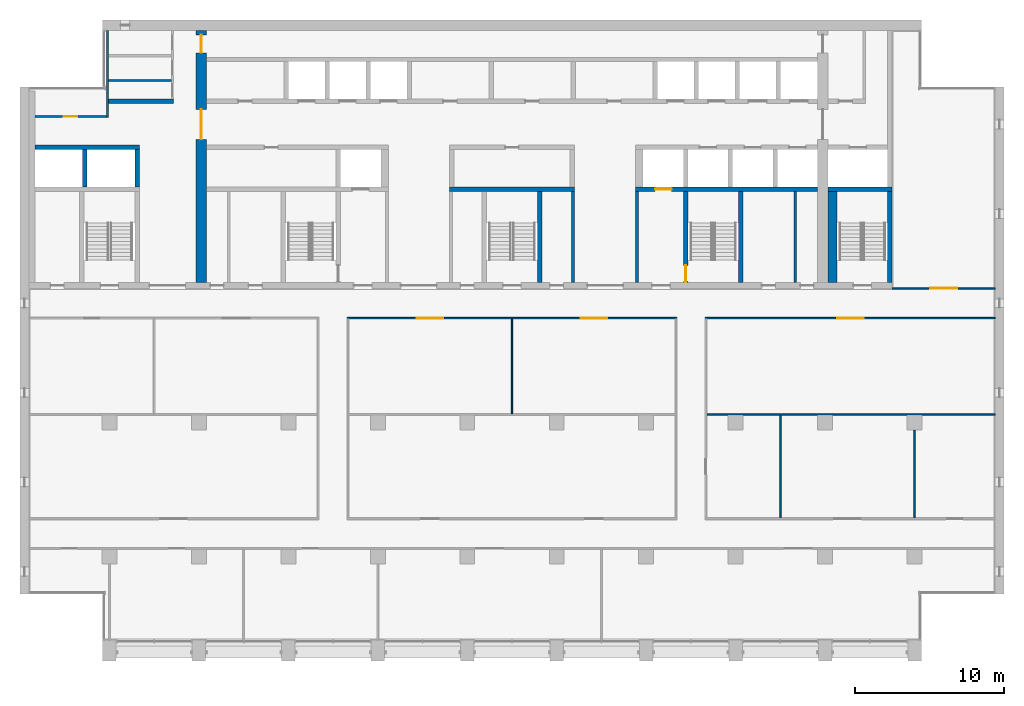
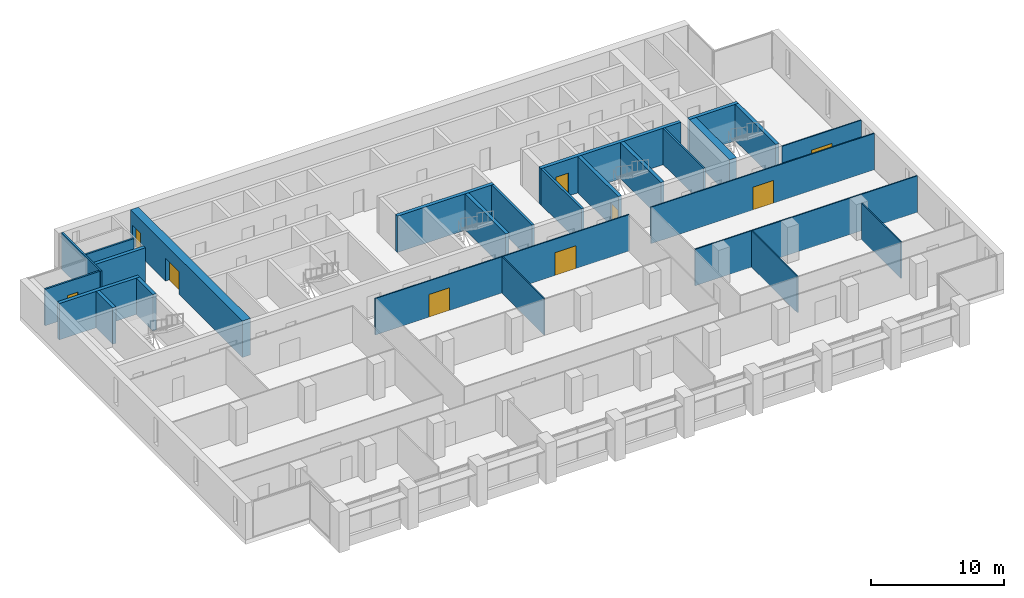
# One storey, part 10 of 17: 26 walls, 9 doors, 9 openings.
"""IFC4 building model written with IfcOpenShell, lengths in metres."""

from ifc_helpers import new_model, si_unit, direction, frame, frame_2d, origin, place, context, subcontext, project, spatial, rectangle, extrude, material, layer, layer_set, type_object, element, fill, save


model = new_model("IFC4")

# Units and contexts
model_context = context("Model", 3, precision=1e-05, world=origin(), true_north=direction((0.0, 1.0)))
body_context = subcontext(model_context, "Body", "Model", "MODEL_VIEW")
ifc_project = project(units=[si_unit("LENGTHUNIT", "METRE"), si_unit("AREAUNIT", "SQUARE_METRE"), si_unit("VOLUMEUNIT", "CUBIC_METRE"), si_unit("PLANEANGLEUNIT", "RADIAN"), si_unit("MASSUNIT", "GRAM", prefix="KILO")], contexts=[model_context])

# Site, building, storey
site_placement = place(None, origin())
site = spatial("IfcSite", under=ifc_project, at=site_placement, CompositionType="ELEMENT")
building_placement = place(site_placement, origin())
building = spatial("IfcBuilding", under=site, at=building_placement, Name="Calvaro Tower", CompositionType="ELEMENT")
storey_placement = place(building_placement, frame((0.0, 0.0, 215.5)))
storey = spatial("IfcBuildingStorey", under=building, at=storey_placement, Name="L54", CompositionType="ELEMENT", Elevation=215.5)

# Walls
ifc_material_1 = material(Name="Blockwork partition", Category="masonry")
ifc_layer_1 = layer(ifc_material_1, 0.14990234375)
ifc_layer_set_1 = layer_set([ifc_layer_1], Name="Blockwork partition")
wall_type_1 = type_object("IfcWallType", Name="Core partition 150 EI 60", PredefinedType="PARTITIONING", material=ifc_layer_set_1)
wall_1_placement = place(storey_placement, frame((58.0, 28.39990234375, 0.0), z_axis=(0.0, 0.0, 1.0), x_axis=(0.0, 1.0, 0.0)))
element("IfcWall", 1, at=wall_1_placement, inside=storey, type_object=wall_type_1, Name="Core partition", PredefinedType="PARTITIONING", context=body_context, shape_type="SweptSolid", body=[
    extrude(rectangle(XDim=6.10009765625, YDim=0.14990234375, at=frame_2d((3.050048828125, 0.0))), origin(), (0.0, 0.0, 1.0), 3.35009765625),
])
wall_2_placement = place(storey_placement, frame((11.949951171875, 41.949951171875, 0.0), z_axis=(0.0, 0.0, 1.0), x_axis=(1.0, 0.0, 0.0)))
element("IfcWall", 2, at=wall_2_placement, inside=storey, type_object=wall_type_1, Name="Core partition", PredefinedType="PARTITIONING", context=body_context, shape_type="SweptSolid", body=[
    extrude(rectangle(XDim=4.199951171875, YDim=0.14990234375, at=frame_2d((2.10009765625, 0.0))), origin(), (0.0, 0.0, 1.0), 3.35009765625),
])
ifc_material_2 = material(Name="Blockwork partition", Category="masonry")
ifc_layer_2 = layer(ifc_material_2, 0.14990234375)
ifc_layer_set_2 = layer_set([ifc_layer_2], Name="Blockwork partition")
wall_type_2 = type_object("IfcWallType", Name="Core partition 150 REI 120", PredefinedType="PARTITIONING", material=ifc_layer_set_2)
wall_3_placement = place(storey_placement, frame((11.875, 39.449951171875, 0.0), z_axis=(0.0, 0.0, 1.0), x_axis=(0.0, 1.0, 0.0)))
element("IfcWall", 3, at=wall_3_placement, inside=storey, type_object=wall_type_2, Name="Core partition", PredefinedType="PARTITIONING", context=body_context, shape_type="SweptSolid", body=[
    extrude(rectangle(XDim=5.85009765625, YDim=0.14990234375, at=frame_2d((2.925048828125, 0.0))), origin(), (0.0, 0.0, 1.0), 3.35009765625),
])

# Wall, opening, door
wall_4_placement = place(storey_placement, frame((7.0, 39.52490234375, 0.0), z_axis=(0.0, 0.0, 1.0), x_axis=(1.0, 0.0, 0.0)))
wall_4 = element("IfcWall", 4, at=wall_4_placement, inside=storey, type_object=wall_type_2, Name="Core partition", PredefinedType="PARTITIONING", context=body_context, shape_type="SweptSolid", body=[
    extrude(rectangle(XDim=4.800048828125, YDim=0.14990234375, at=frame_2d((2.39990234375, 0.0))), origin(), (0.0, 0.0, 1.0), 3.35009765625),
])
opening_1_placement = place(wall_4_placement, frame((1.949951171875, 0.0, 0.0)))
opening_1 = element("IfcOpeningElement", 5, at=opening_1_placement, cuts=wall_4, Name="Opening RD9", PredefinedType="OPENING", context=body_context, shape_type="SweptSolid", body=[
    extrude(rectangle(XDim=0.89990234375, YDim=2.10009765625, at=frame_2d((0.449951171875, 1.050048828125))), frame((0.0, 0.0849609375, 0.0), z_axis=(0.0, -1.0, 0.0), x_axis=(1.0, 0.0, 0.0)), (0.0, 0.0, 1.0), 0.169921875),
])
ifc_material_3 = material(Name="Steel door set", Category="steel")
door_type_1 = type_object("IfcDoorType", Name="Room door 900", OperationType="SINGLE_SWING_LEFT", PredefinedType="DOOR", material=ifc_material_3)
door_1_placement = place(opening_1_placement, origin())
door_1 = element("IfcDoor", 6, at=door_1_placement, inside=storey, type_object=door_type_1, Name="Room door", OperationType="SINGLE_SWING_LEFT", OverallHeight=2.10009765625, OverallWidth=0.89990234375, PredefinedType="DOOR", context=body_context, shape_type="SweptSolid", body=[
    extrude(rectangle(XDim=0.89990234375, YDim=2.10009765625, at=frame_2d((0.449951171875, 1.050048828125))), frame((0.0, 0.02490234375, 0.0), z_axis=(0.0, -1.0, 0.0), x_axis=(1.0, 0.0, 0.0)), (0.0, 0.0, 1.0), 0.050048828125),
])
fill(opening_1, door_1)

# Walls
ifc_material_4 = material(Name="Blockwork partition", Category="masonry")
ifc_layer_3 = layer(ifc_material_4, 0.199951171875)
ifc_layer_set_3 = layer_set([ifc_layer_3], Name="Blockwork partition")
wall_type_3 = type_object("IfcWallType", Name="Core partition 200 REI 120", PredefinedType="PARTITIONING", material=ifc_layer_set_3)
for number, where, z_axis, x_axis, name in (
    (7, (43.10009765625, 28.39990234375, 0.0), (0.0, 0.0, 1.0), (0.0, 1.0, 0.0), "Core partition"),
    (8, (47.39990234375, 28.39990234375, 0.0), (0.0, 0.0, 1.0), (0.0, 1.0, 0.0), "Core partition"),
):
    element("IfcWall", number, at=place(storey_placement, frame(where, z_axis=z_axis, x_axis=x_axis)), inside=storey, type_object=wall_type_3, Name=name, PredefinedType="PARTITIONING", context=body_context, shape_type="SweptSolid", body=[
        extrude(rectangle(XDim=6.10009765625, YDim=0.199951171875, at=frame_2d((3.050048828125, 0.0))), origin(), (0.0, 0.0, 1.0), 3.35009765625),
    ])
ifc_material_5 = material(Name="Blockwork partition", Category="masonry")
ifc_layer_4 = layer(ifc_material_5, 0.300048828125)
ifc_layer_set_4 = layer_set([ifc_layer_4], Name="Blockwork partition")
wall_type_4 = type_object("IfcWallType", Name="Core partition 300 REI 120", PredefinedType="PARTITIONING", material=ifc_layer_set_4)
wall_5_placement = place(storey_placement, frame((11.949951171875, 40.550048828125, 0.0), z_axis=(0.0, 0.0, 1.0), x_axis=(1.0, 0.0, 0.0)))
element("IfcWall", 9, at=wall_5_placement, inside=storey, type_object=wall_type_4, Name="Core partition", PredefinedType="PARTITIONING", context=body_context, shape_type="SweptSolid", body=[
    extrude(rectangle(XDim=4.35009765625, YDim=0.300048828125, at=frame_2d((2.175048828125, 0.0))), origin(), (0.0, 0.0, 1.0), 3.35009765625),
])
ifc_material_6 = material(Name="Concrete C50/60", Category="concrete")
ifc_layer_5 = layer(ifc_material_6, 0.300048828125)
ifc_layer_set_5 = layer_set([ifc_layer_5], Name="Concrete C50/60")
wall_type_5 = type_object("IfcWallType", Name="Core wall C50/60 300", PredefinedType="SHEAR", material=ifc_layer_set_5)
wall_6_placement = place(storey_placement, frame((40.85009765625, 28.39990234375, 0.0), z_axis=(0.0, 0.0, 1.0), x_axis=(0.0, 1.0, 0.0)))
element("IfcWall", 10, at=wall_6_placement, inside=storey, type_object=wall_type_5, Name="Core wall, stair enclosure", PredefinedType="SHEAR", context=body_context, shape_type="SweptSolid", body=[
    extrude(rectangle(XDim=6.10009765625, YDim=0.300048828125, at=frame_2d((3.050048828125, 0.0))), origin(), (0.0, 0.0, 1.0), 3.35009765625),
])

# Wall, opening, door
wall_7_placement = place(storey_placement, frame((50.64990234375, 34.5, 0.0), z_axis=(0.0, 0.0, 1.0), x_axis=(0.0, -1.0, 0.0)))
wall_7 = element("IfcWall", 11, at=wall_7_placement, inside=storey, type_object=wall_type_5, Name="Core wall, stair enclosure", PredefinedType="SHEAR", context=body_context, shape_type="SweptSolid", body=[
    extrude(rectangle(XDim=6.10009765625, YDim=0.300048828125, at=frame_2d((3.050048828125, 0.0))), origin(), (0.0, 0.0, 1.0), 3.35009765625),
])
opening_2_placement = place(wall_7_placement, frame((4.949951171875, 0.0, 0.0)))
opening_2 = element("IfcOpeningElement", 12, at=opening_2_placement, cuts=wall_7, Name="Opening FD11D", PredefinedType="OPENING", context=body_context, shape_type="SweptSolid", body=[
    extrude(rectangle(XDim=1.10009765625, YDim=2.10009765625, at=frame_2d((0.550048828125, 1.050048828125))), frame((0.0, 0.159912109375, 0.0), z_axis=(0.0, -1.0, 0.0), x_axis=(1.0, 0.0, 0.0)), (0.0, 0.0, 1.0), 0.320068359375),
])
ifc_material_7 = material(Name="Steel door set", Category="steel")
door_type_2 = type_object("IfcDoorType", Name="Fire door 1100 FD30S", OperationType="SINGLE_SWING_LEFT", PredefinedType="DOOR", material=ifc_material_7)
door_2_placement = place(opening_2_placement, origin())
door_2 = element("IfcDoor", 13, at=door_2_placement, inside=storey, type_object=door_type_2, Name="Fire door", OperationType="SINGLE_SWING_RIGHT", OverallHeight=2.10009765625, OverallWidth=1.10009765625, PredefinedType="DOOR", context=body_context, shape_type="SweptSolid", body=[
    extrude(rectangle(XDim=1.10009765625, YDim=2.10009765625, at=frame_2d((0.550048828125, 1.050048828125))), frame((0.0, 0.02490234375, 0.0), z_axis=(0.0, -1.0, 0.0), x_axis=(1.0, 0.0, 0.0)), (0.0, 0.0, 1.0), 0.050048828125),
])
fill(opening_2, door_2)

# Walls
for number, where, z_axis, x_axis, name in (
    (14, (54.35009765625, 28.39990234375, 0.0), (0.0, 0.0, 1.0), (0.0, 1.0, 0.0), "Core wall, stair enclosure"),
    (15, (64.35009765625, 28.39990234375, 0.0), (0.0, 0.0, 1.0), (0.0, 1.0, 0.0), "Core wall, stair enclosure"),
):
    element("IfcWall", number, at=place(storey_placement, frame(where, z_axis=z_axis, x_axis=x_axis)), inside=storey, type_object=wall_type_5, Name=name, PredefinedType="SHEAR", context=body_context, shape_type="SweptSolid", body=[
        extrude(rectangle(XDim=6.10009765625, YDim=0.300048828125, at=frame_2d((3.050048828125, 0.0))), origin(), (0.0, 0.0, 1.0), 3.35009765625),
    ])
wall_8_placement = place(storey_placement, frame((34.800048828125, 34.64990234375, 0.0), z_axis=(0.0, 0.0, 1.0), x_axis=(1.0, 0.0, 0.0)))
element("IfcWall", 16, at=wall_8_placement, inside=storey, type_object=wall_type_5, Name="Core wall, lift shaft", PredefinedType="SHEAR", context=body_context, shape_type="SweptSolid", body=[
    extrude(rectangle(XDim=8.39990234375, YDim=0.300048828125, at=frame_2d((4.199951171875, 0.0))), origin(), (0.0, 0.0, 1.0), 3.35009765625),
])

# Wall, opening, door
wall_9_placement = place(storey_placement, frame((47.300048828125, 34.64990234375, 0.0), z_axis=(0.0, 0.0, 1.0), x_axis=(1.0, 0.0, 0.0)))
wall_9 = element("IfcWall", 17, at=wall_9_placement, inside=storey, type_object=wall_type_5, Name="Core wall, lift shaft", PredefinedType="SHEAR", context=body_context, shape_type="SweptSolid", body=[
    extrude(rectangle(XDim=12.199951171875, YDim=0.300048828125, at=frame_2d((6.10009765625, 0.0))), origin(), (0.0, 0.0, 1.0), 3.35009765625),
])
opening_3_placement = place(wall_9_placement, frame((1.300048828125, 0.0, 0.0)))
opening_3 = element("IfcOpeningElement", 18, at=opening_3_placement, cuts=wall_9, Name="Opening FF2", PredefinedType="OPENING", context=body_context, shape_type="SweptSolid", body=[
    extrude(rectangle(XDim=1.10009765625, YDim=2.10009765625, at=frame_2d((0.550048828125, 1.050048828125))), frame((0.0, 0.159912109375, 0.0), z_axis=(0.0, -1.0, 0.0), x_axis=(1.0, 0.0, 0.0)), (0.0, 0.0, 1.0), 0.320068359375),
])
ifc_material_8 = material(Name="Stainless steel", Category="steel")
door_type_3 = type_object("IfcDoorType", Name="Landing door 1100 E 60", OperationType="SLIDING_TO_LEFT", PredefinedType="DOOR", material=ifc_material_8)
door_3_placement = place(opening_3_placement, origin())
door_3 = element("IfcDoor", 19, at=door_3_placement, inside=storey, type_object=door_type_3, Name="Landing door FF2", OperationType="SLIDING_TO_LEFT", OverallHeight=2.10009765625, OverallWidth=1.10009765625, PredefinedType="DOOR", context=body_context, shape_type="SweptSolid", body=[
    extrude(rectangle(XDim=1.10009765625, YDim=2.10009765625, at=frame_2d((0.550048828125, 1.050048828125))), frame((0.0, 0.02490234375, 0.0), z_axis=(0.0, -1.0, 0.0), x_axis=(1.0, 0.0, 0.0)), (0.0, 0.0, 1.0), 0.050048828125),
])
fill(opening_3, door_3)

# Walls
wall_10_placement = place(storey_placement, frame((60.199951171875, 34.64990234375, 0.0), z_axis=(0.0, 0.0, 1.0), x_axis=(1.0, 0.0, 0.0)))
element("IfcWall", 20, at=wall_10_placement, inside=storey, type_object=wall_type_5, Name="Core wall, lift shaft", PredefinedType="SHEAR", context=body_context, shape_type="SweptSolid", body=[
    extrude(rectangle(XDim=4.300048828125, YDim=0.300048828125, at=frame_2d((2.14990234375, 0.0))), origin(), (0.0, 0.0, 1.0), 3.35009765625),
])
wall_11_placement = place(storey_placement, frame((7.0, 37.449951171875, 0.0), z_axis=(0.0, 0.0, 1.0), x_axis=(1.0, 0.0, 0.0)))
element("IfcWall", 21, at=wall_11_placement, inside=storey, type_object=wall_type_5, Name="Core wall, lift shaft", PredefinedType="SHEAR", context=body_context, shape_type="SweptSolid", body=[
    extrude(rectangle(XDim=7.0, YDim=0.300048828125, at=frame_2d((3.5, 0.0))), origin(), (0.0, 0.0, 1.0), 3.35009765625),
])
for number, where, z_axis, x_axis, name in (
    (22, (13.85009765625, 34.800048828125, 0.0), (0.0, 0.0, 1.0), (0.0, 1.0, 0.0), "Core wall, lift shaft"),
    (23, (10.35009765625, 34.800048828125, 0.0), (0.0, 0.0, 1.0), (0.0, 1.0, 0.0), "Core wall, lift shaft"),
):
    element("IfcWall", number, at=place(storey_placement, frame(where, z_axis=z_axis, x_axis=x_axis)), inside=storey, type_object=wall_type_5, Name=name, PredefinedType="SHEAR", context=body_context, shape_type="SweptSolid", body=[
        extrude(rectangle(XDim=2.5, YDim=0.300048828125, at=frame_2d((1.25, 0.0))), origin(), (0.0, 0.0, 1.0), 3.35009765625),
    ])
ifc_material_9 = material(Name="Concrete C50/60", Category="concrete")
ifc_layer_6 = layer(ifc_material_9, 0.60009765625)
ifc_layer_set_6 = layer_set([ifc_layer_6], Name="Concrete C50/60")
wall_type_6 = type_object("IfcWallType", Name="Core wall C50/60 600", PredefinedType="SHEAR", material=ifc_layer_set_6)
wall_12_placement = place(storey_placement, frame((60.5, 28.39990234375, 0.0), z_axis=(0.0, 0.0, 1.0), x_axis=(0.0, 1.0, 0.0)))
element("IfcWall", 24, at=wall_12_placement, inside=storey, type_object=wall_type_6, Name="Core wall, stair enclosure", PredefinedType="SHEAR", context=body_context, shape_type="SweptSolid", body=[
    extrude(rectangle(XDim=6.10009765625, YDim=0.60009765625, at=frame_2d((3.050048828125, 0.0))), origin(), (0.0, 0.0, 1.0), 3.35009765625),
])

# Wall, openings, doors
ifc_material_10 = material(Name="Concrete C50/60", Category="concrete")
ifc_layer_7 = layer(ifc_material_10, 0.699951171875)
ifc_layer_set_7 = layer_set([ifc_layer_7], Name="Concrete C50/60")
wall_type_7 = type_object("IfcWallType", Name="Core wall C50/60 700", PredefinedType="SHEAR", material=ifc_layer_set_7)
wall_13_placement = place(storey_placement, frame((18.14990234375, 28.39990234375, 0.0), z_axis=(0.0, 0.0, 1.0), x_axis=(0.0, 1.0, 0.0)))
wall_13 = element("IfcWall", 25, at=wall_13_placement, inside=storey, type_object=wall_type_7, Name="Core wall, cross shear wall", PredefinedType="SHEAR", context=body_context, shape_type="SweptSolid", body=[
    extrude(rectangle(XDim=16.900146484375, YDim=0.699951171875, at=frame_2d((8.4501953125, 0.0))), origin(), (0.0, 0.0, 1.0), 3.35009765625),
])
opening_4_placement = place(wall_13_placement, frame((9.60009765625, 0.0, 0.0)))
opening_4 = element("IfcOpeningElement", 26, at=opening_4_placement, cuts=wall_13, Name="Opening DD20D", PredefinedType="OPENING", context=body_context, shape_type="SweptSolid", body=[
    extrude(rectangle(XDim=2.0, YDim=2.10009765625, at=frame_2d((1.0, 1.050048828125))), frame((0.0, 0.35986328125, 0.0), z_axis=(0.0, -1.0, 0.0), x_axis=(1.0, 0.0, 0.0)), (0.0, 0.0, 1.0), 0.719970703125),
])
opening_5_placement = place(wall_13_placement, frame((15.39990234375, 0.0, 0.0)))
opening_5 = element("IfcOpeningElement", 27, at=opening_5_placement, cuts=wall_13, Name="Opening FD12C", PredefinedType="OPENING", context=body_context, shape_type="SweptSolid", body=[
    extrude(rectangle(XDim=1.199951171875, YDim=2.10009765625, at=frame_2d((0.60009765625, 1.050048828125))), frame((0.0, 0.35986328125, 0.0), z_axis=(0.0, -1.0, 0.0), x_axis=(1.0, 0.0, 0.0)), (0.0, 0.0, 1.0), 0.719970703125),
])
ifc_material_11 = material(Name="Steel door set", Category="steel")
door_type_4 = type_object("IfcDoorType", Name="Fire door 1200 FD30", OperationType="SINGLE_SWING_LEFT", PredefinedType="DOOR", material=ifc_material_11)
door_4_placement = place(opening_5_placement, origin())
door_4 = element("IfcDoor", 28, at=door_4_placement, inside=storey, type_object=door_type_4, Name="Fire door", OperationType="SINGLE_SWING_LEFT", OverallHeight=2.10009765625, OverallWidth=1.199951171875, PredefinedType="DOOR", context=body_context, shape_type="SweptSolid", body=[
    extrude(rectangle(XDim=1.199951171875, YDim=2.10009765625, at=frame_2d((0.60009765625, 1.050048828125))), frame((0.0, 0.02490234375, 0.0), z_axis=(0.0, -1.0, 0.0), x_axis=(1.0, 0.0, 0.0)), (0.0, 0.0, 1.0), 0.050048828125),
])
fill(opening_5, door_4)
ifc_material_12 = material(Name="Steel door set", Category="steel")
door_type_5 = type_object("IfcDoorType", Name="Lobby double door 2000 FD30S", OperationType="DOUBLE_DOOR_SINGLE_SWING", PredefinedType="DOOR", material=ifc_material_12)
door_5_placement = place(opening_4_placement, origin())
door_5 = element("IfcDoor", 29, at=door_5_placement, inside=storey, type_object=door_type_5, Name="Lobby double door", OperationType="DOUBLE_DOOR_SINGLE_SWING", OverallHeight=2.10009765625, OverallWidth=2.0, PredefinedType="DOOR", context=body_context, shape_type="SweptSolid", body=[
    extrude(rectangle(XDim=2.0, YDim=2.10009765625, at=frame_2d((1.0, 1.050048828125))), frame((0.0, 0.02490234375, 0.0), z_axis=(0.0, -1.0, 0.0), x_axis=(1.0, 0.0, 0.0)), (0.0, 0.0, 1.0), 0.050048828125),
])
fill(opening_4, door_5)

# Wall
ifc_material_13 = material(Name="Plasterboard on steel studs", Category="steel")
ifc_layer_8 = layer(ifc_material_13, 0.10009765625)
ifc_layer_set_8 = layer_set([ifc_layer_8], Name="Plasterboard on steel studs")
wall_type_8 = type_object("IfcWallType", Name="Partition 100", PredefinedType="PARTITIONING", material=ifc_layer_set_8)
wall_14_placement = place(storey_placement, frame((52.050048828125, 19.550048828125, 0.0), z_axis=(0.0, 0.0, 1.0), x_axis=(1.0, 0.0, 0.0)))
element("IfcWall", 30, at=wall_14_placement, inside=storey, type_object=wall_type_8, Name="Partition T31.W007", PredefinedType="PARTITIONING", context=body_context, shape_type="SweptSolid", body=[
    extrude(rectangle(XDim=19.349853515625, YDim=0.10009765625, at=frame_2d((9.6748046875, 0.0))), origin(), (0.0, 0.0, 1.0), 3.35009765625),
])

# Wall, openings, doors
wall_15_placement = place(storey_placement, frame((27.949951171875, 26.0, 0.0), z_axis=(0.0, 0.0, 1.0), x_axis=(1.0, 0.0, 0.0)))
wall_15 = element("IfcWall", 31, at=wall_15_placement, inside=storey, type_object=wall_type_8, Name="Partition T31.W009", PredefinedType="PARTITIONING", context=body_context, shape_type="SweptSolid", body=[
    extrude(rectangle(XDim=22.10009765625, YDim=0.10009765625, at=frame_2d((11.050048828125, 0.0))), origin(), (0.0, 0.0, 1.0), 3.35009765625),
])
opening_6_placement = place(wall_15_placement, frame((4.64990234375, 0.0, 0.0)))
opening_6 = element("IfcOpeningElement", 32, at=opening_6_placement, cuts=wall_15, Name="Opening T31.014", PredefinedType="OPENING", context=body_context, shape_type="SweptSolid", body=[
    extrude(rectangle(XDim=1.800048828125, YDim=2.10009765625, at=frame_2d((0.89990234375, 1.050048828125))), frame((0.0, 0.06005859375, 0.0), z_axis=(0.0, -1.0, 0.0), x_axis=(1.0, 0.0, 0.0)), (0.0, 0.0, 1.0), 0.1201171875),
])
opening_7_placement = place(wall_15_placement, frame((15.64990234375, 0.0, 0.0)))
opening_7 = element("IfcOpeningElement", 33, at=opening_7_placement, cuts=wall_15, Name="Opening T31.015", PredefinedType="OPENING", context=body_context, shape_type="SweptSolid", body=[
    extrude(rectangle(XDim=1.800048828125, YDim=2.10009765625, at=frame_2d((0.89990234375, 1.050048828125))), frame((0.0, 0.06005859375, 0.0), z_axis=(0.0, -1.0, 0.0), x_axis=(1.0, 0.0, 0.0)), (0.0, 0.0, 1.0), 0.1201171875),
])
ifc_material_14 = material(Name="Timber", Category="wood")
door_type_6 = type_object("IfcDoorType", Name="Internal double door 1800 x 2100", OperationType="DOUBLE_DOOR_SINGLE_SWING", PredefinedType="DOOR", material=ifc_material_14)
door_6_placement = place(opening_6_placement, origin())
door_6 = element("IfcDoor", 34, at=door_6_placement, inside=storey, type_object=door_type_6, Name="Door T31.014", OperationType="DOUBLE_DOOR_SINGLE_SWING", OverallHeight=2.10009765625, OverallWidth=1.800048828125, PredefinedType="DOOR", context=body_context, shape_type="SweptSolid", body=[
    extrude(rectangle(XDim=1.800048828125, YDim=2.10009765625, at=frame_2d((0.89990234375, 1.050048828125))), frame((0.0, 0.02490234375, 0.0), z_axis=(0.0, -1.0, 0.0), x_axis=(1.0, 0.0, 0.0)), (0.0, 0.0, 1.0), 0.050048828125),
])
fill(opening_6, door_6)
door_7_placement = place(opening_7_placement, origin())
door_7 = element("IfcDoor", 35, at=door_7_placement, inside=storey, type_object=door_type_6, Name="Door T31.015", OperationType="DOUBLE_DOOR_SINGLE_SWING", OverallHeight=2.10009765625, OverallWidth=1.800048828125, PredefinedType="DOOR", context=body_context, shape_type="SweptSolid", body=[
    extrude(rectangle(XDim=1.800048828125, YDim=2.10009765625, at=frame_2d((0.89990234375, 1.050048828125))), frame((0.0, 0.02490234375, 0.0), z_axis=(0.0, -1.0, 0.0), x_axis=(1.0, 0.0, 0.0)), (0.0, 0.0, 1.0), 0.050048828125),
])
fill(opening_7, door_7)

# Wall, opening, door
wall_16_placement = place(storey_placement, frame((51.949951171875, 26.0, 0.0), z_axis=(0.0, 0.0, 1.0), x_axis=(1.0, 0.0, 0.0)))
wall_16 = element("IfcWall", 36, at=wall_16_placement, inside=storey, type_object=wall_type_8, Name="Partition T31.W010", PredefinedType="PARTITIONING", context=body_context, shape_type="SweptSolid", body=[
    extrude(rectangle(XDim=19.449951171875, YDim=0.10009765625, at=frame_2d((9.72509765625, 0.0))), origin(), (0.0, 0.0, 1.0), 3.35009765625),
])
opening_8_placement = place(wall_16_placement, frame((8.85009765625, 0.0, 0.0)))
opening_8 = element("IfcOpeningElement", 37, at=opening_8_placement, cuts=wall_16, Name="Opening T31.016", PredefinedType="OPENING", context=body_context, shape_type="SweptSolid", body=[
    extrude(rectangle(XDim=1.800048828125, YDim=2.10009765625, at=frame_2d((0.89990234375, 1.050048828125))), frame((0.0, 0.06005859375, 0.0), z_axis=(0.0, -1.0, 0.0), x_axis=(1.0, 0.0, 0.0)), (0.0, 0.0, 1.0), 0.1201171875),
])
door_8_placement = place(opening_8_placement, origin())
door_8 = element("IfcDoor", 38, at=door_8_placement, inside=storey, type_object=door_type_6, Name="Door T31.016", OperationType="DOUBLE_DOOR_SINGLE_SWING", OverallHeight=2.10009765625, OverallWidth=1.800048828125, PredefinedType="DOOR", context=body_context, shape_type="SweptSolid", body=[
    extrude(rectangle(XDim=1.800048828125, YDim=2.10009765625, at=frame_2d((0.89990234375, 1.050048828125))), frame((0.0, 0.02490234375, 0.0), z_axis=(0.0, -1.0, 0.0), x_axis=(1.0, 0.0, 0.0)), (0.0, 0.0, 1.0), 0.050048828125),
])
fill(opening_8, door_8)

wall_17_placement = place(storey_placement, frame((64.5, 28.0, 0.0), z_axis=(0.0, 0.0, 1.0), x_axis=(1.0, 0.0, 0.0)))
wall_17 = element("IfcWall", 39, at=wall_17_placement, inside=storey, type_object=wall_type_8, Name="Partition T31.W011", PredefinedType="PARTITIONING", context=body_context, shape_type="SweptSolid", body=[
    extrude(rectangle(XDim=6.89990234375, YDim=0.10009765625, at=frame_2d((3.449951171875, 0.0))), origin(), (0.0, 0.0, 1.0), 3.35009765625),
])
opening_9_placement = place(wall_17_placement, frame((2.550048828125, 0.0, 0.0)))
opening_9 = element("IfcOpeningElement", 40, at=opening_9_placement, cuts=wall_17, Name="Opening T31.017", PredefinedType="OPENING", context=body_context, shape_type="SweptSolid", body=[
    extrude(rectangle(XDim=1.800048828125, YDim=2.10009765625, at=frame_2d((0.89990234375, 1.050048828125))), frame((0.0, 0.06005859375, 0.0), z_axis=(0.0, -1.0, 0.0), x_axis=(1.0, 0.0, 0.0)), (0.0, 0.0, 1.0), 0.1201171875),
])
door_9_placement = place(opening_9_placement, origin())
door_9 = element("IfcDoor", 41, at=door_9_placement, inside=storey, type_object=door_type_6, Name="Door T31.017", OperationType="DOUBLE_DOOR_SINGLE_SWING", OverallHeight=2.10009765625, OverallWidth=1.800048828125, PredefinedType="DOOR", context=body_context, shape_type="SweptSolid", body=[
    extrude(rectangle(XDim=1.800048828125, YDim=2.10009765625, at=frame_2d((0.89990234375, 1.050048828125))), frame((0.0, 0.02490234375, 0.0), z_axis=(0.0, -1.0, 0.0), x_axis=(1.0, 0.0, 0.0)), (0.0, 0.0, 1.0), 0.050048828125),
])
fill(opening_9, door_9)

# Walls
wall_18_placement = place(storey_placement, frame((39.0, 19.60009765625, 0.0), z_axis=(0.0, 0.0, 1.0), x_axis=(0.0, 1.0, 0.0)))
element("IfcWall", 42, at=wall_18_placement, inside=storey, type_object=wall_type_8, Name="Partition T31.W018", PredefinedType="PARTITIONING", context=body_context, shape_type="SweptSolid", body=[
    extrude(rectangle(XDim=6.349853515625, YDim=0.10009765625, at=frame_2d((3.1748046875, 0.0))), origin(), (0.0, 0.0, 1.0), 3.35009765625),
])
wall_19_placement = place(storey_placement, frame((57.0, 12.60009765625, 0.0), z_axis=(0.0, 0.0, 1.0), x_axis=(0.0, 1.0, 0.0)))
element("IfcWall", 43, at=wall_19_placement, inside=storey, type_object=wall_type_8, Name="Partition T31.W022", PredefinedType="PARTITIONING", context=body_context, shape_type="SweptSolid", body=[
    extrude(rectangle(XDim=6.89990234375, YDim=0.10009765625, at=frame_2d((3.449951171875, 0.0))), origin(), (0.0, 0.0, 1.0), 3.35009765625),
])
wall_20_placement = place(storey_placement, frame((66.0, 12.60009765625, 0.0), z_axis=(0.0, 0.0, 1.0), x_axis=(0.0, 1.0, 0.0)))
element("IfcWall", 44, at=wall_20_placement, inside=storey, type_object=wall_type_8, Name="Partition T31.W023", PredefinedType="PARTITIONING", context=body_context, shape_type="SweptSolid", body=[
    extrude(rectangle(XDim=5.89990234375, YDim=0.10009765625, at=frame_2d((2.949951171875, 0.0))), origin(), (0.0, 0.0, 1.0), 3.35009765625),
])

save(model, "model.ifc")
